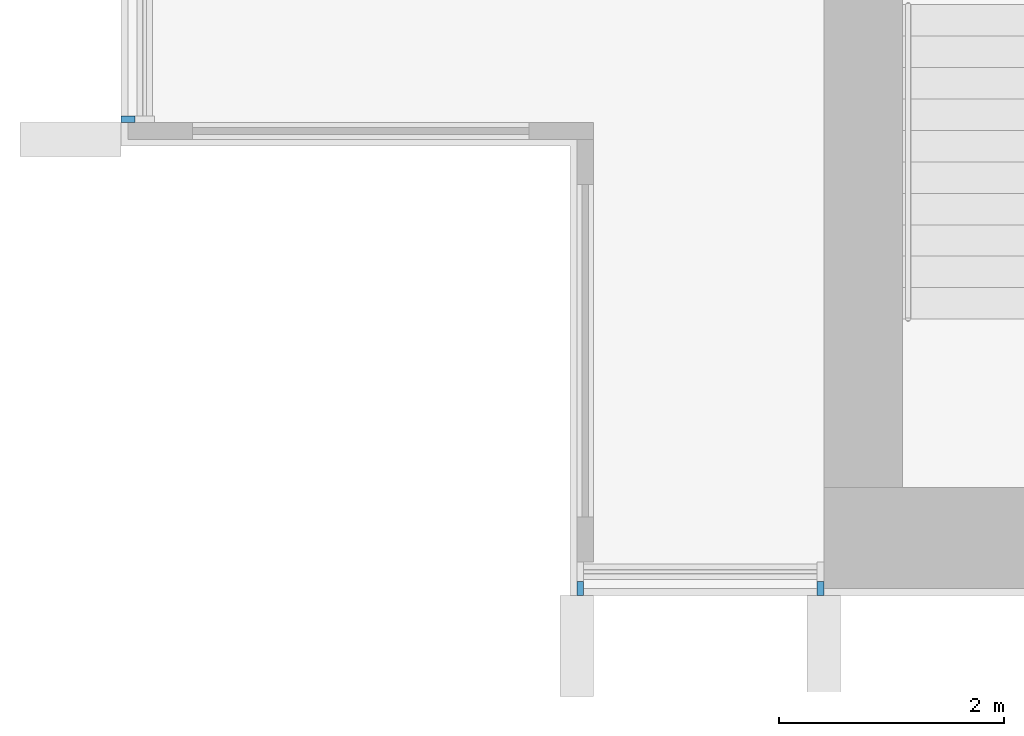
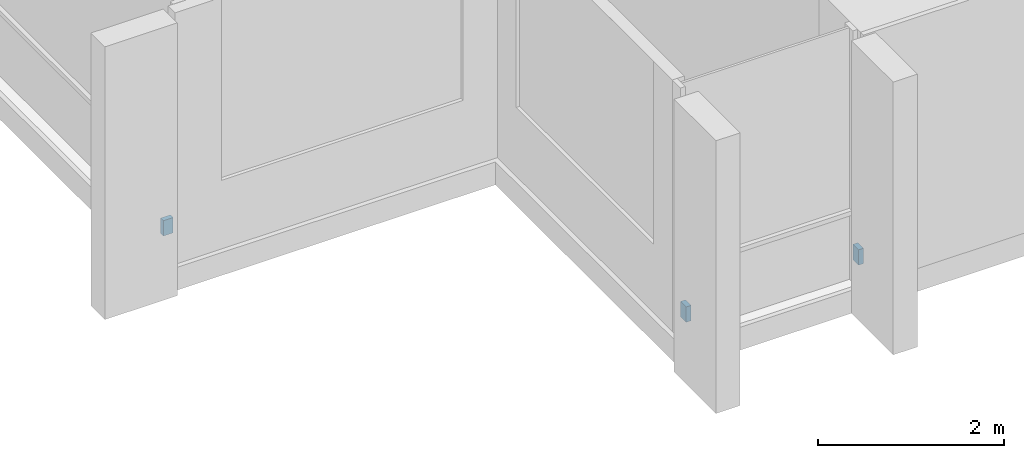
# One storey, part 12 of 16: 3 discrete accessories.
"""IFC4 building model written with IfcOpenShell, lengths in metres."""

from ifc_helpers import new_model, si_unit, direction, frame, origin, origin_2d, place, context, subcontext, project, spatial, rectangle, extrude, material, type_object, element, save


model = new_model("IFC4")

# Units and contexts
model_context = context("Model", 3, precision=1e-05, world=origin(), true_north=direction((0.0, 1.0)))
body_context = subcontext(model_context, "Body", "Model", "MODEL_VIEW")
ifc_project = project(units=[si_unit("LENGTHUNIT", "METRE"), si_unit("AREAUNIT", "SQUARE_METRE"), si_unit("VOLUMEUNIT", "CUBIC_METRE"), si_unit("PLANEANGLEUNIT", "RADIAN"), si_unit("MASSUNIT", "GRAM", prefix="KILO")], contexts=[model_context])

# Site, building, storey
site_placement = place(None, origin())
site = spatial("IfcSite", under=ifc_project, at=site_placement, CompositionType="ELEMENT")
building_placement = place(site_placement, origin())
building = spatial("IfcBuilding", under=site, at=building_placement, Name="Finial Court Residences", CompositionType="ELEMENT")
storey_placement = place(building_placement, frame((0.0, 0.0, 163.699951171875)))
storey = spatial("IfcBuildingStorey", under=building, at=storey_placement, Name="L40", CompositionType="ELEMENT", Elevation=163.699951171875)

# Discrete accessories
ifc_material = material(Name="Stainless steel 316", Category="steel")
discrete_accessory_type = type_object("IfcDiscreteAccessoryType", Name="Fin bracket, stainless steel 60 x 122 x 200", PredefinedType="BRACKET", material=ifc_material)
for number, where, z_axis, x_axis, name in (
    (1, (-15.469970703125, -25.498779296875, 0.30029296875), (0.0, 0.0, 1.0), (1.0, 0.0, 0.0), "E-L40-FIN-S14-BRK"),
    (2, (-13.330078125, -25.498779296875, 0.30029296875), (0.0, 0.0, 1.0), (1.0, 0.0, 0.0), "E-L40-FIN-S15-BRK"),
):
    element("IfcDiscreteAccessory", number, at=place(storey_placement, frame(where, z_axis=z_axis, x_axis=x_axis)), inside=storey, type_object=discrete_accessory_type, Name=name, PredefinedType="BRACKET", context=body_context, shape_type="SweptSolid", body=[
        extrude(rectangle(XDim=0.06005859375, YDim=0.12255859375, at=origin_2d()), origin(), (0.0, 0.0, 1.0), 0.199951171875),
    ])
discrete_accessory_placement = place(storey_placement, frame((-19.498779296875, -21.320068359375, 0.30029296875), z_axis=(0.0, 0.0, 1.0), x_axis=(1.0, 0.0, 0.0)))
element("IfcDiscreteAccessory", 3, at=discrete_accessory_placement, inside=storey, type_object=discrete_accessory_type, Name="E-L40-FIN-W22-BRK", PredefinedType="BRACKET", context=body_context, shape_type="SweptSolid", body=[
    extrude(rectangle(XDim=0.12255859375, YDim=0.06005859375, at=origin_2d()), origin(), (0.0, 0.0, 1.0), 0.199951171875),
])

save(model, "model.ifc")
